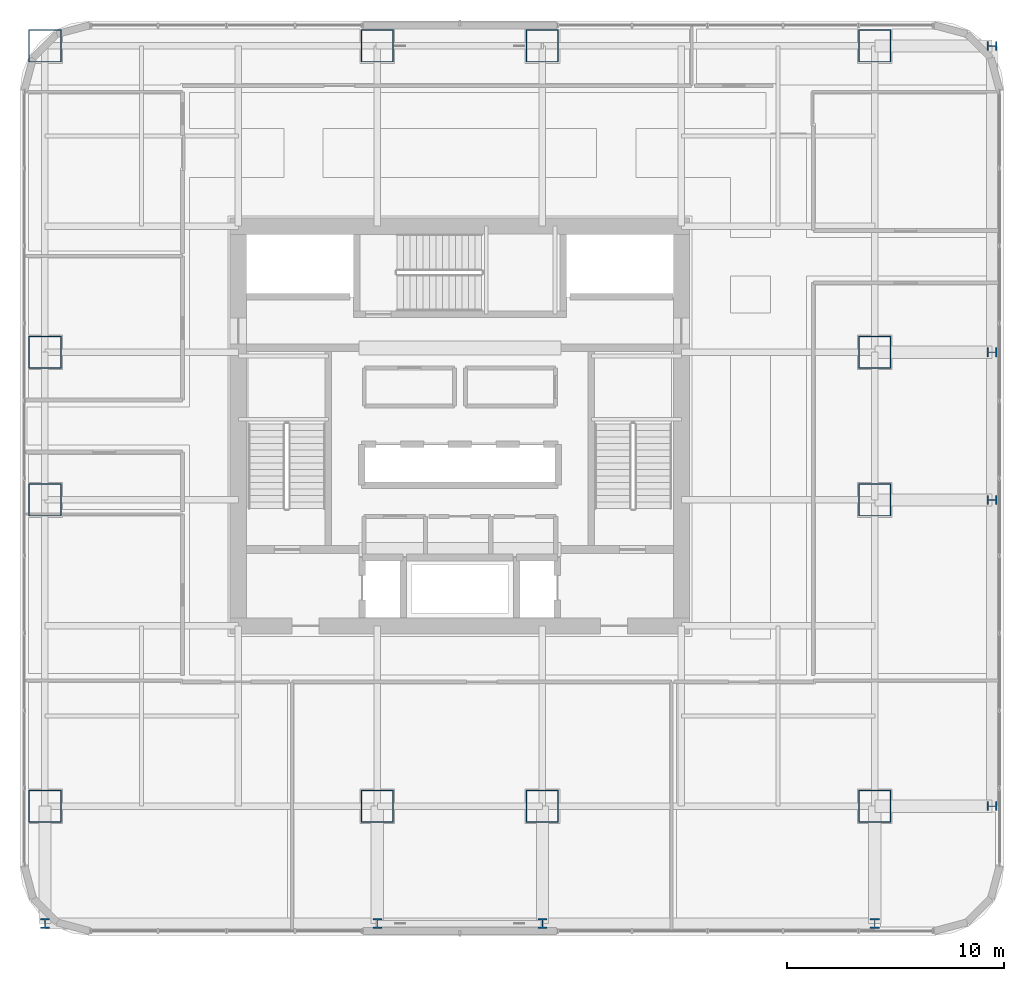
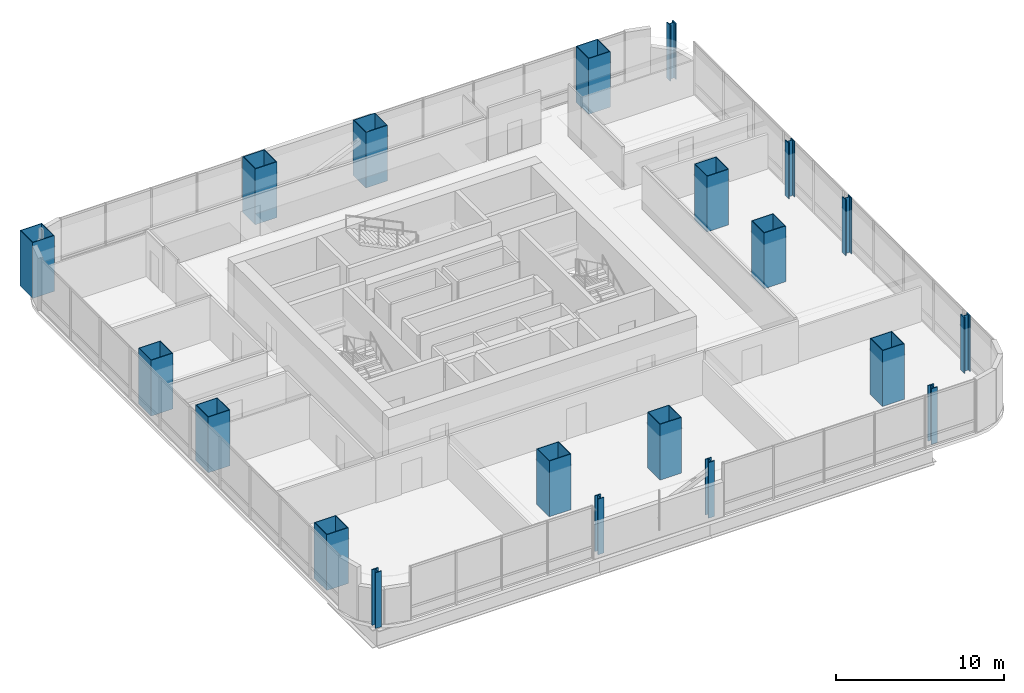
# One storey, part 1 of 40: 20 columns.
"""IFC4 building model written with IfcOpenShell, lengths in metres."""

from ifc_helpers import new_model, si_unit, direction, frame, origin, origin_2d, place, context, subcontext, project, spatial, hollow_rectangle, i_section, extrude, material, material_profile, profile_set, type_object, element, save


model = new_model("IFC4")

# Units and contexts
model_context = context("Model", 3, precision=1e-05, world=origin(), true_north=direction((0.0, 1.0)))
body_context = subcontext(model_context, "Body", "Model", "MODEL_VIEW")
ifc_project = project(units=[si_unit("LENGTHUNIT", "METRE"), si_unit("AREAUNIT", "SQUARE_METRE"), si_unit("VOLUMEUNIT", "CUBIC_METRE"), si_unit("PLANEANGLEUNIT", "RADIAN"), si_unit("MASSUNIT", "GRAM", prefix="KILO")], contexts=[model_context])

# Site, building, storey
site_placement = place(None, origin())
site = spatial("IfcSite", under=ifc_project, at=site_placement, CompositionType="ELEMENT")
building_placement = place(site_placement, origin())
building = spatial("IfcBuilding", under=site, at=building_placement, Name="Punatoya Terracotta Tower", CompositionType="ELEMENT")
storey_placement = place(building_placement, frame((0.0, 0.0, 76.800048828125)))
storey = spatial("IfcBuildingStorey", under=building, at=storey_placement, Name="L17", CompositionType="ELEMENT", Elevation=76.800048828125)

# Columns
ifc_material = material(Name="Steel S460", Category="steel")
ifc_material_profile_1 = material_profile(ifc_material, i_section(OverallWidth=0.416015625, OverallDepth=0.446044921875, WebThickness=0.0390625, FlangeThickness=0.06201171875, FilletRadius=0.01806640625, at=origin_2d()))
ifc_profile_set_1 = profile_set([ifc_material_profile_1], Name="Steel S460")
column_type_1 = type_object("IfcColumnType", Name="COL-EX-M1", PredefinedType="COLUMN", material=ifc_profile_set_1)
for number, where, z_axis, x_axis, name in (
    (1, (-19.10009765625, -22.89990234375, 0.0), (0.0, 0.0, 1.0), (1.0, 0.0, 0.0), "L17 Exoskeleton Perimeter Column S1"),
    (2, (-3.800048828125, -22.89990234375, 0.0), (0.0, 0.0, 1.0), (1.0, 0.0, 0.0), "L17 Exoskeleton Perimeter Column S2"),
    (3, (3.800048828125, -22.89990234375, 0.0), (0.0, 0.0, 1.0), (1.0, 0.0, 0.0), "L17 Exoskeleton Perimeter Column S3"),
    (4, (19.10009765625, -22.89990234375, 0.0), (0.0, 0.0, 1.0), (1.0, 0.0, 0.0), "L17 Exoskeleton Perimeter Column S4"),
    (5, (24.5, -17.5, 0.0), (0.0, 0.0, 1.0), (0.0, 1.0, 0.0), "L17 Exoskeleton Perimeter Column E1"),
    (6, (24.5, -3.39990234375, 0.0), (0.0, 0.0, 1.0), (0.0, 1.0, 0.0), "L17 Exoskeleton Perimeter Column E2"),
    (7, (24.5, 3.39990234375, 0.0), (0.0, 0.0, 1.0), (0.0, 1.0, 0.0), "L17 Exoskeleton Perimeter Column E3"),
    (8, (24.5, 17.5, 0.0), (0.0, 0.0, 1.0), (0.0, 1.0, 0.0), "L17 Exoskeleton Perimeter Column E4"),
):
    element("IfcColumn", number, at=place(storey_placement, frame(where, z_axis=z_axis, x_axis=x_axis)), inside=storey, type_object=column_type_1, Name=name, PredefinedType="COLUMN", context=body_context, shape_type="SweptSolid", body=[
        extrude(i_section(OverallWidth=0.416015625, OverallDepth=0.446044921875, WebThickness=0.0390625, FlangeThickness=0.06201171875, FilletRadius=0.01806640625, at=origin_2d()), origin(), (0.0, 0.0, 1.0), 4.0478515625),
    ])
ifc_material_profile_2 = material_profile(ifc_material, hollow_rectangle(XDim=1.5, YDim=1.5, WallThickness=0.044921875, at=origin_2d()))
ifc_profile_set_2 = profile_set([ifc_material_profile_2], Name="Steel S460")
column_type_2 = type_object("IfcColumnType", Name="COL-MC-Z1", PredefinedType="COLUMN", material=ifc_profile_set_2)
for number, where, z_axis, x_axis, name in (
    (9, (-19.10009765625, -17.5, 0.0), (0.0, 0.0, 1.0), (1.0, 0.0, 0.0), "L17 Composite Mega-Column MC-01 (3-B)"),
    (10, (-3.800048828125, -17.5, 0.0), (0.0, 0.0, 1.0), (1.0, 0.0, 0.0), "L17 Composite Mega-Column MC-02 (5-B)"),
    (11, (3.800048828125, -17.5, 0.0), (0.0, 0.0, 1.0), (1.0, 0.0, 0.0), "L17 Composite Mega-Column MC-03 (7-B)"),
    (12, (19.10009765625, -17.5, 0.0), (0.0, 0.0, 1.0), (1.0, 0.0, 0.0), "L17 Composite Mega-Column MC-04 (9-B)"),
    (13, (19.10009765625, -3.39990234375, 0.0), (0.0, 0.0, 1.0), (1.0, 0.0, 0.0), "L17 Composite Mega-Column MC-05 (9-D)"),
    (14, (19.10009765625, 3.39990234375, 0.0), (0.0, 0.0, 1.0), (1.0, 0.0, 0.0), "L17 Composite Mega-Column MC-06 (9-E)"),
    (15, (19.10009765625, 17.5, 0.0), (0.0, 0.0, 1.0), (1.0, 0.0, 0.0), "L17 Composite Mega-Column MC-07 (9-G)"),
    (16, (3.800048828125, 17.5, 0.0), (0.0, 0.0, 1.0), (1.0, 0.0, 0.0), "L17 Composite Mega-Column MC-08 (7-G)"),
    (17, (-3.800048828125, 17.5, 0.0), (0.0, 0.0, 1.0), (1.0, 0.0, 0.0), "L17 Composite Mega-Column MC-09 (5-G)"),
    (18, (-19.10009765625, 17.5, 0.0), (0.0, 0.0, 1.0), (1.0, 0.0, 0.0), "L17 Composite Mega-Column MC-10 (3-G)"),
    (19, (-19.10009765625, 3.39990234375, 0.0), (0.0, 0.0, 1.0), (1.0, 0.0, 0.0), "L17 Composite Mega-Column MC-11 (3-E)"),
    (20, (-19.10009765625, -3.39990234375, 0.0), (0.0, 0.0, 1.0), (1.0, 0.0, 0.0), "L17 Composite Mega-Column MC-12 (3-D)"),
):
    element("IfcColumn", number, at=place(storey_placement, frame(where, z_axis=z_axis, x_axis=x_axis)), inside=storey, type_object=column_type_2, Name=name, PredefinedType="COLUMN", context=body_context, shape_type="SweptSolid", body=[
        extrude(hollow_rectangle(XDim=1.5, YDim=1.5, WallThickness=0.044921875, at=origin_2d()), origin(), (0.0, 0.0, 1.0), 4.050048828125),
    ])

save(model, "model.ifc")
